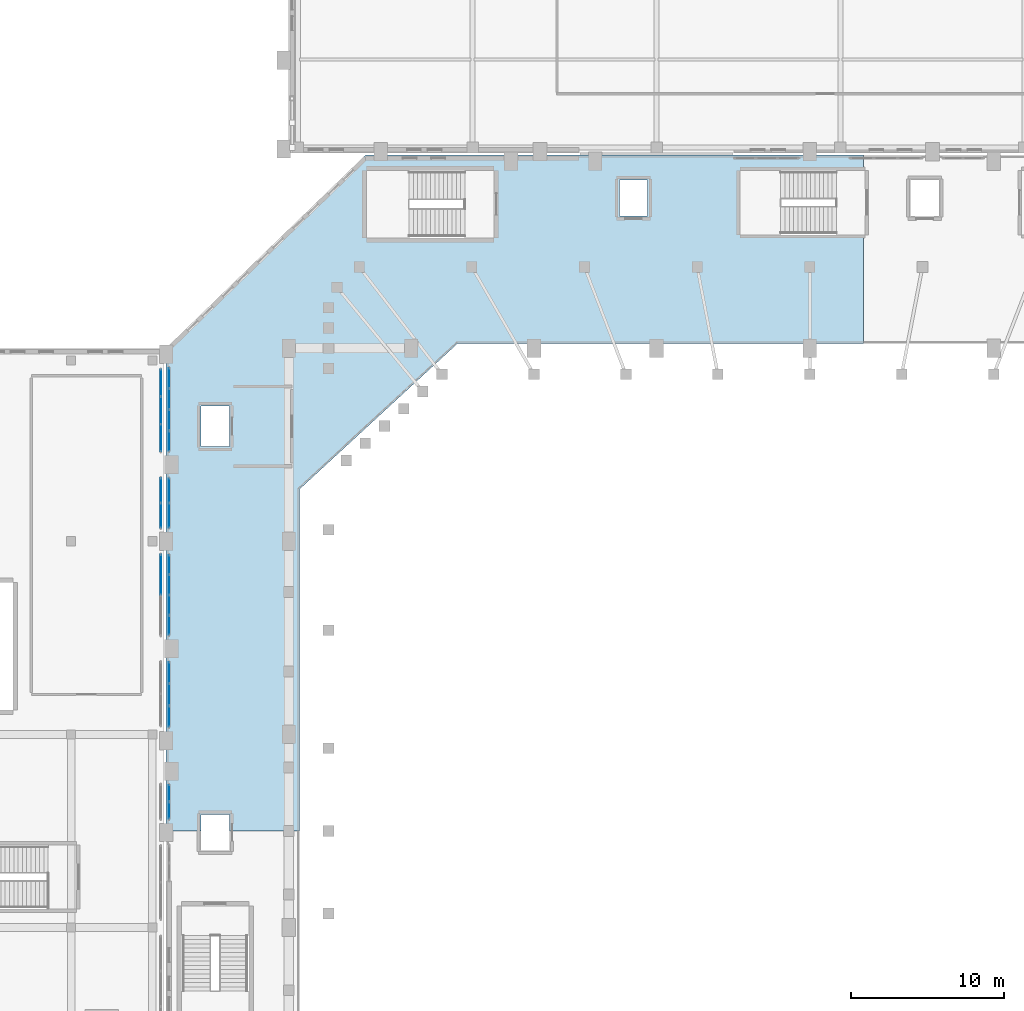
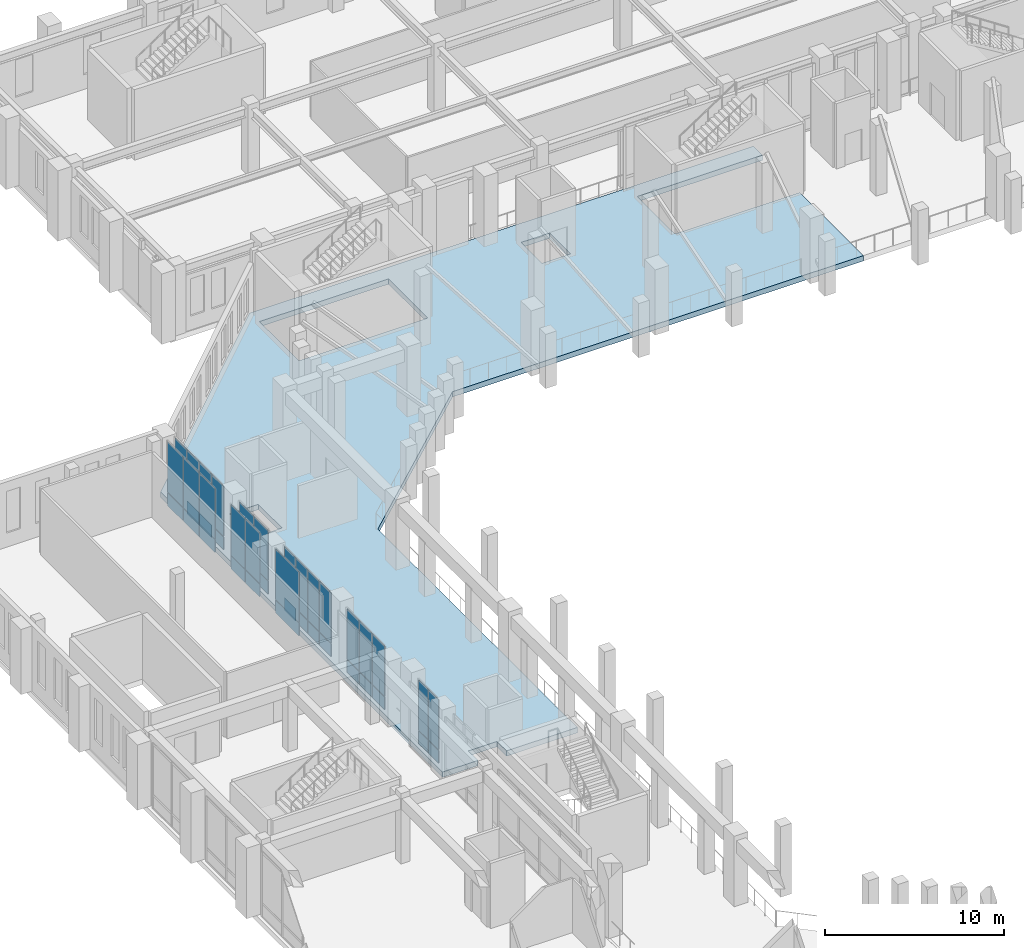
# One storey, part 71 of 126: 42 plates, 1 slab, 8 elements without a shape of their own.
"""IFC4 building model written with IfcOpenShell, lengths in metres."""

from ifc_helpers import new_model, si_unit, derived_unit, direction, frame, origin, origin_2d, place, context, subcontext, project, spatial, polyline, rectangle, outline, extrude, material, layer, layer_set, type_object, element, aggregate, save


model = new_model("IFC4")

# Units and contexts
model_context = context("Model", 3, precision=1e-05, world=origin(), true_north=direction((0.0, 1.0)))
body_context = subcontext(model_context, "Body", "Model", "MODEL_VIEW")
ifc_project = project(units=[si_unit("LENGTHUNIT", "METRE"), si_unit("AREAUNIT", "SQUARE_METRE"), si_unit("VOLUMEUNIT", "CUBIC_METRE"), si_unit("PLANEANGLEUNIT", "RADIAN"), si_unit("MASSUNIT", "GRAM", prefix="KILO"), derived_unit("THERMALTRANSMITTANCEUNIT", [(si_unit("MASSUNIT", "GRAM", prefix="KILO"), 1), (si_unit("TIMEUNIT", "SECOND"), -3), (si_unit("THERMODYNAMICTEMPERATUREUNIT", "KELVIN"), -1)])], contexts=[model_context])

# Site, building, storey
site_placement = place(None, origin())
site = spatial("IfcSite", under=ifc_project, at=site_placement, CompositionType="ELEMENT")
building_placement = place(site_placement, origin())
building = spatial("IfcBuilding", under=site, at=building_placement, Name="Valcora Ridge Arena", CompositionType="ELEMENT")
storey_placement = place(building_placement, frame((0.0, 0.0, 11.39990234375)))
storey = spatial("IfcBuildingStorey", under=building, at=storey_placement, Name="L02", CompositionType="ELEMENT", Elevation=11.39990234375)

# Curtain wall, plates
ifc_material_1 = material(Name="Anodised dark bronze architectural aluminium 6063-T6", Category="aluminium")
ifc_layer_1 = layer(ifc_material_1, 0.179931640625, Name="Anodised dark bronze architectural aluminium 6063-T6")
ifc_layer_set_1 = layer_set([ifc_layer_1], Name="Anodised dark bronze architectural aluminium 6063-T6")
curtain_wall_type_1 = type_object("IfcCurtainWallType", Name="TY-CURTAINWALL-CW-V1-GOTH-023X44", PredefinedType="NOTDEFINED", material=ifc_layer_set_1)
curtain_wall_1_placement = place(storey_placement, origin())
curtain_wall_1 = element("IfcCurtainWall", 1, at=curtain_wall_1_placement, inside=storey, type_object=curtain_wall_type_1, Name="CW-V1-GOTH-023X44 CW-0115", PredefinedType="NOTDEFINED")
ifc_material_2 = material(Name="Low-iron solar-control double glazing SHGC 0.28", Category="glass")
ifc_layer_2 = layer(ifc_material_2, 0.031982421875, Name="Low-iron solar-control double glazing SHGC 0.28")
ifc_layer_set_2 = layer_set([ifc_layer_2], Name="Low-iron solar-control double glazing SHGC 0.28")
plate_type_1 = type_object("IfcPlateType", Name="TY-PLT-CWP-1070X0860", PredefinedType="CURTAIN_PANEL", material=ifc_layer_set_2)
plate_1_placement = place(storey_placement, frame((16.199951171875, 65.43505859375, 0.06005859375), z_axis=(0.0, 0.0, 1.0), x_axis=(0.0, 1.0, 0.0)))
plate_1 = element("IfcPlate", 2, at=plate_1_placement, type_object=plate_type_1, Name="CW-0115/P00-00", PredefinedType="CURTAIN_PANEL", context=body_context, shape_type="SweptSolid", body=[
    extrude(rectangle(XDim=1.070068359375, YDim=0.031982421875, at=origin_2d()), origin(), (0.0, 0.0, 1.0), 0.860107421875),
])
plate_2_placement = place(storey_placement, frame((16.199951171875, 66.56494140625, 0.06005859375), z_axis=(0.0, 0.0, 1.0), x_axis=(0.0, 1.0, 0.0)))
plate_2 = element("IfcPlate", 3, at=plate_2_placement, type_object=plate_type_1, Name="CW-0115/P01-00", PredefinedType="CURTAIN_PANEL", context=body_context, shape_type="SweptSolid", body=[
    extrude(rectangle(XDim=1.070068359375, YDim=0.031982421875, at=origin_2d()), origin(), (0.0, 0.0, 1.0), 0.860107421875),
])
ifc_layer_3 = layer(ifc_material_2, 0.031982421875, Name="Low-iron solar-control double glazing SHGC 0.28")
ifc_layer_set_3 = layer_set([ifc_layer_3], Name="Low-iron solar-control double glazing SHGC 0.28")
plate_type_2 = type_object("IfcPlateType", Name="TY-PLT-CWP-1070X3410", PredefinedType="CURTAIN_PANEL", material=ifc_layer_set_3)
plate_3_placement = place(storey_placement, frame((16.199951171875, 65.43505859375, 0.97998046875), z_axis=(0.0, 0.0, 1.0), x_axis=(0.0, 1.0, 0.0)))
plate_3 = element("IfcPlate", 4, at=plate_3_placement, type_object=plate_type_2, Name="CW-0115/P00-01", PredefinedType="CURTAIN_PANEL", context=body_context, shape_type="SweptSolid", body=[
    extrude(rectangle(XDim=1.070068359375, YDim=0.031982421875, at=origin_2d()), origin(), (0.0, 0.0, 1.0), 3.409912109375),
])
plate_4_placement = place(storey_placement, frame((16.199951171875, 66.56494140625, 0.97998046875), z_axis=(0.0, 0.0, 1.0), x_axis=(0.0, 1.0, 0.0)))
plate_4 = element("IfcPlate", 5, at=plate_4_placement, type_object=plate_type_2, Name="CW-0115/P01-01", PredefinedType="CURTAIN_PANEL", context=body_context, shape_type="SweptSolid", body=[
    extrude(rectangle(XDim=1.070068359375, YDim=0.031982421875, at=origin_2d()), origin(), (0.0, 0.0, 1.0), 3.409912109375),
])
aggregate(curtain_wall_1, [plate_1, plate_3, plate_2, plate_4])

ifc_layer_4 = layer(ifc_material_1, 0.179931640625, Name="Anodised dark bronze architectural aluminium 6063-T6")
ifc_layer_set_4 = layer_set([ifc_layer_4], Name="Anodised dark bronze architectural aluminium 6063-T6")
curtain_wall_type_2 = type_object("IfcCurtainWallType", Name="TY-CURTAINWALL-CW-V1-GOTH-053X44", PredefinedType="NOTDEFINED", material=ifc_layer_set_4)
curtain_wall_2_placement = place(storey_placement, origin())
curtain_wall_2 = element("IfcCurtainWall", 6, at=curtain_wall_2_placement, inside=storey, type_object=curtain_wall_type_2, Name="CW-V1-GOTH-053X44 CW-0117", PredefinedType="NOTDEFINED")
ifc_layer_5 = layer(ifc_material_2, 0.031982421875, Name="Low-iron solar-control double glazing SHGC 0.28")
ifc_layer_set_5 = layer_set([ifc_layer_5], Name="Low-iron solar-control double glazing SHGC 0.28")
plate_type_3 = type_object("IfcPlateType", Name="TY-PLT-CWP-1240X0860", PredefinedType="CURTAIN_PANEL", material=ifc_layer_set_5)
plate_5_placement = place(storey_placement, frame((16.199951171875, 77.52001953125, 0.06005859375), z_axis=(0.0, 0.0, 1.0), x_axis=(0.0, 1.0, 0.0)))
plate_5 = element("IfcPlate", 7, at=plate_5_placement, type_object=plate_type_3, Name="CW-0117/P00-00", PredefinedType="CURTAIN_PANEL", context=body_context, shape_type="SweptSolid", body=[
    extrude(rectangle(XDim=1.239990234375, YDim=0.031982421875, at=origin_2d()), origin(), (0.0, 0.0, 1.0), 0.860107421875),
])
plate_6_placement = place(storey_placement, frame((16.199951171875, 81.47998046875, 0.06005859375), z_axis=(0.0, 0.0, 1.0), x_axis=(0.0, 1.0, 0.0)))
plate_6 = element("IfcPlate", 8, at=plate_6_placement, type_object=plate_type_3, Name="CW-0117/P03-00", PredefinedType="CURTAIN_PANEL", context=body_context, shape_type="SweptSolid", body=[
    extrude(rectangle(XDim=1.239990234375, YDim=0.031982421875, at=origin_2d()), origin(), (0.0, 0.0, 1.0), 0.860107421875),
])
ifc_layer_6 = layer(ifc_material_2, 0.031982421875, Name="Low-iron solar-control double glazing SHGC 0.28")
ifc_layer_set_6 = layer_set([ifc_layer_6], Name="Low-iron solar-control double glazing SHGC 0.28")
plate_type_4 = type_object("IfcPlateType", Name="TY-PLT-CWP-1240X3410", PredefinedType="CURTAIN_PANEL", material=ifc_layer_set_6)
plate_7_placement = place(storey_placement, frame((16.199951171875, 77.52001953125, 0.97998046875), z_axis=(0.0, 0.0, 1.0), x_axis=(0.0, 1.0, 0.0)))
plate_7 = element("IfcPlate", 9, at=plate_7_placement, type_object=plate_type_4, Name="CW-0117/P00-01", PredefinedType="CURTAIN_PANEL", context=body_context, shape_type="SweptSolid", body=[
    extrude(rectangle(XDim=1.239990234375, YDim=0.031982421875, at=origin_2d()), origin(), (0.0, 0.0, 1.0), 3.409912109375),
])
plate_8_placement = place(storey_placement, frame((16.199951171875, 81.47998046875, 0.97998046875), z_axis=(0.0, 0.0, 1.0), x_axis=(0.0, 1.0, 0.0)))
plate_8 = element("IfcPlate", 10, at=plate_8_placement, type_object=plate_type_4, Name="CW-0117/P03-01", PredefinedType="CURTAIN_PANEL", context=body_context, shape_type="SweptSolid", body=[
    extrude(rectangle(XDim=1.239990234375, YDim=0.031982421875, at=origin_2d()), origin(), (0.0, 0.0, 1.0), 3.409912109375),
])
ifc_layer_7 = layer(ifc_material_2, 0.031982421875, Name="Low-iron solar-control double glazing SHGC 0.28")
ifc_layer_set_7 = layer_set([ifc_layer_7], Name="Low-iron solar-control double glazing SHGC 0.28")
plate_type_5 = type_object("IfcPlateType", Name="TY-PLT-CWP-1270X0860", PredefinedType="CURTAIN_PANEL", material=ifc_layer_set_7)
plate_9_placement = place(storey_placement, frame((16.199951171875, 78.8349609375, 0.06005859375), z_axis=(0.0, 0.0, 1.0), x_axis=(0.0, 1.0, 0.0)))
plate_9 = element("IfcPlate", 11, at=plate_9_placement, type_object=plate_type_5, Name="CW-0117/P01-00", PredefinedType="CURTAIN_PANEL", context=body_context, shape_type="SweptSolid", body=[
    extrude(rectangle(XDim=1.27001953125, YDim=0.031982421875, at=origin_2d()), origin(), (0.0, 0.0, 1.0), 0.860107421875),
])
plate_10_placement = place(storey_placement, frame((16.199951171875, 80.1650390625, 0.06005859375), z_axis=(0.0, 0.0, 1.0), x_axis=(0.0, 1.0, 0.0)))
plate_10 = element("IfcPlate", 12, at=plate_10_placement, type_object=plate_type_5, Name="CW-0117/P02-00", PredefinedType="CURTAIN_PANEL", context=body_context, shape_type="SweptSolid", body=[
    extrude(rectangle(XDim=1.27001953125, YDim=0.031982421875, at=origin_2d()), origin(), (0.0, 0.0, 1.0), 0.860107421875),
])
ifc_layer_8 = layer(ifc_material_2, 0.031982421875, Name="Low-iron solar-control double glazing SHGC 0.28")
ifc_layer_set_8 = layer_set([ifc_layer_8], Name="Low-iron solar-control double glazing SHGC 0.28")
plate_type_6 = type_object("IfcPlateType", Name="TY-PLT-CWP-1270X3410", PredefinedType="CURTAIN_PANEL", material=ifc_layer_set_8)
plate_11_placement = place(storey_placement, frame((16.199951171875, 78.8349609375, 0.97998046875), z_axis=(0.0, 0.0, 1.0), x_axis=(0.0, 1.0, 0.0)))
plate_11 = element("IfcPlate", 13, at=plate_11_placement, type_object=plate_type_6, Name="CW-0117/P01-01", PredefinedType="CURTAIN_PANEL", context=body_context, shape_type="SweptSolid", body=[
    extrude(rectangle(XDim=1.27001953125, YDim=0.031982421875, at=origin_2d()), origin(), (0.0, 0.0, 1.0), 3.409912109375),
])
plate_12_placement = place(storey_placement, frame((16.199951171875, 80.1650390625, 0.97998046875), z_axis=(0.0, 0.0, 1.0), x_axis=(0.0, 1.0, 0.0)))
plate_12 = element("IfcPlate", 14, at=plate_12_placement, type_object=plate_type_6, Name="CW-0117/P02-01", PredefinedType="CURTAIN_PANEL", context=body_context, shape_type="SweptSolid", body=[
    extrude(rectangle(XDim=1.27001953125, YDim=0.031982421875, at=origin_2d()), origin(), (0.0, 0.0, 1.0), 3.409912109375),
])
aggregate(curtain_wall_2, [plate_5, plate_7, plate_9, plate_11, plate_10, plate_12, plate_6, plate_8])

ifc_layer_9 = layer(ifc_material_1, 0.179931640625, Name="Anodised dark bronze architectural aluminium 6063-T6")
ifc_layer_set_9 = layer_set([ifc_layer_9], Name="Anodised dark bronze architectural aluminium 6063-T6")
curtain_wall_type_3 = type_object("IfcCurtainWallType", Name="TY-CURTAINWALL-CW-V1-GOTH-055X44", PredefinedType="NOTDEFINED", material=ifc_layer_set_9)
curtain_wall_3_placement = place(storey_placement, origin())
curtain_wall_3 = element("IfcCurtainWall", 15, at=curtain_wall_3_placement, inside=storey, type_object=curtain_wall_type_3, Name="CW-V1-GOTH-055X44 CW-0119", PredefinedType="NOTDEFINED")
ifc_layer_10 = layer(ifc_material_2, 0.031982421875, Name="Low-iron solar-control double glazing SHGC 0.28")
ifc_layer_set_10 = layer_set([ifc_layer_10], Name="Low-iron solar-control double glazing SHGC 0.28")
plate_type_7 = type_object("IfcPlateType", Name="TY-PLT-CWP-1290X0860", PredefinedType="CURTAIN_PANEL", material=ifc_layer_set_10)
plate_13_placement = place(storey_placement, frame((16.199951171875, 89.544921875, 0.06005859375), z_axis=(0.0, 0.0, 1.0), x_axis=(0.0, 1.0, 0.0)))
plate_13 = element("IfcPlate", 16, at=plate_13_placement, type_object=plate_type_7, Name="CW-0119/P00-00", PredefinedType="CURTAIN_PANEL", context=body_context, shape_type="SweptSolid", body=[
    extrude(rectangle(XDim=1.2900390625, YDim=0.031982421875, at=origin_2d()), origin(), (0.0, 0.0, 1.0), 0.860107421875),
])
plate_14_placement = place(storey_placement, frame((16.199951171875, 93.655029296875, 0.06005859375), z_axis=(0.0, 0.0, 1.0), x_axis=(0.0, 1.0, 0.0)))
plate_14 = element("IfcPlate", 17, at=plate_14_placement, type_object=plate_type_7, Name="CW-0119/P03-00", PredefinedType="CURTAIN_PANEL", context=body_context, shape_type="SweptSolid", body=[
    extrude(rectangle(XDim=1.2900390625, YDim=0.031982421875, at=origin_2d()), origin(), (0.0, 0.0, 1.0), 0.860107421875),
])
ifc_layer_11 = layer(ifc_material_2, 0.031982421875, Name="Low-iron solar-control double glazing SHGC 0.28")
ifc_layer_set_11 = layer_set([ifc_layer_11], Name="Low-iron solar-control double glazing SHGC 0.28")
plate_type_8 = type_object("IfcPlateType", Name="TY-PLT-CWP-1290X3410", PredefinedType="CURTAIN_PANEL", material=ifc_layer_set_11)
plate_15_placement = place(storey_placement, frame((16.199951171875, 89.544921875, 0.97998046875), z_axis=(0.0, 0.0, 1.0), x_axis=(0.0, 1.0, 0.0)))
plate_15 = element("IfcPlate", 18, at=plate_15_placement, type_object=plate_type_8, Name="CW-0119/P00-01", PredefinedType="CURTAIN_PANEL", context=body_context, shape_type="SweptSolid", body=[
    extrude(rectangle(XDim=1.2900390625, YDim=0.031982421875, at=origin_2d()), origin(), (0.0, 0.0, 1.0), 3.409912109375),
])
plate_16_placement = place(storey_placement, frame((16.199951171875, 93.655029296875, 0.97998046875), z_axis=(0.0, 0.0, 1.0), x_axis=(0.0, 1.0, 0.0)))
plate_16 = element("IfcPlate", 19, at=plate_16_placement, type_object=plate_type_8, Name="CW-0119/P03-01", PredefinedType="CURTAIN_PANEL", context=body_context, shape_type="SweptSolid", body=[
    extrude(rectangle(XDim=1.2900390625, YDim=0.031982421875, at=origin_2d()), origin(), (0.0, 0.0, 1.0), 3.409912109375),
])
ifc_layer_12 = layer(ifc_material_2, 0.031982421875, Name="Low-iron solar-control double glazing SHGC 0.28")
ifc_layer_set_12 = layer_set([ifc_layer_12], Name="Low-iron solar-control double glazing SHGC 0.28")
plate_type_9 = type_object("IfcPlateType", Name="TY-PLT-CWP-1320X0860", PredefinedType="CURTAIN_PANEL", material=ifc_layer_set_12)
plate_17_placement = place(storey_placement, frame((16.199951171875, 90.909912109375, 0.06005859375), z_axis=(0.0, 0.0, 1.0), x_axis=(0.0, 1.0, 0.0)))
plate_17 = element("IfcPlate", 20, at=plate_17_placement, type_object=plate_type_9, Name="CW-0119/P01-00", PredefinedType="CURTAIN_PANEL", context=body_context, shape_type="SweptSolid", body=[
    extrude(rectangle(XDim=1.320068359375, YDim=0.031982421875, at=origin_2d()), origin(), (0.0, 0.0, 1.0), 0.860107421875),
])
plate_18_placement = place(storey_placement, frame((16.199951171875, 92.2900390625, 0.06005859375), z_axis=(0.0, 0.0, 1.0), x_axis=(0.0, 1.0, 0.0)))
plate_18 = element("IfcPlate", 21, at=plate_18_placement, type_object=plate_type_9, Name="CW-0119/P02-00", PredefinedType="CURTAIN_PANEL", context=body_context, shape_type="SweptSolid", body=[
    extrude(rectangle(XDim=1.320068359375, YDim=0.031982421875, at=origin_2d()), origin(), (0.0, 0.0, 1.0), 0.860107421875),
])
ifc_layer_13 = layer(ifc_material_2, 0.031982421875, Name="Low-iron solar-control double glazing SHGC 0.28")
ifc_layer_set_13 = layer_set([ifc_layer_13], Name="Low-iron solar-control double glazing SHGC 0.28")
plate_type_10 = type_object("IfcPlateType", Name="TY-PLT-CWP-1320X3410", PredefinedType="CURTAIN_PANEL", material=ifc_layer_set_13)
plate_19_placement = place(storey_placement, frame((16.199951171875, 90.909912109375, 0.97998046875), z_axis=(0.0, 0.0, 1.0), x_axis=(0.0, 1.0, 0.0)))
plate_19 = element("IfcPlate", 22, at=plate_19_placement, type_object=plate_type_10, Name="CW-0119/P01-01", PredefinedType="CURTAIN_PANEL", context=body_context, shape_type="SweptSolid", body=[
    extrude(rectangle(XDim=1.320068359375, YDim=0.031982421875, at=origin_2d()), origin(), (0.0, 0.0, 1.0), 3.409912109375),
])
plate_20_placement = place(storey_placement, frame((16.199951171875, 92.2900390625, 0.97998046875), z_axis=(0.0, 0.0, 1.0), x_axis=(0.0, 1.0, 0.0)))
plate_20 = element("IfcPlate", 23, at=plate_20_placement, type_object=plate_type_10, Name="CW-0119/P02-01", PredefinedType="CURTAIN_PANEL", context=body_context, shape_type="SweptSolid", body=[
    extrude(rectangle(XDim=1.320068359375, YDim=0.031982421875, at=origin_2d()), origin(), (0.0, 0.0, 1.0), 3.409912109375),
])
aggregate(curtain_wall_3, [plate_13, plate_15, plate_17, plate_19, plate_18, plate_20, plate_14, plate_16])

ifc_layer_14 = layer(ifc_material_1, 0.179931640625, Name="Anodised dark bronze architectural aluminium 6063-T6")
ifc_layer_set_14 = layer_set([ifc_layer_14], Name="Anodised dark bronze architectural aluminium 6063-T6")
curtain_wall_type_4 = type_object("IfcCurtainWallType", Name="TY-CURTAINWALL-CW-V1-GOTH-043X44", PredefinedType="NOTDEFINED", material=ifc_layer_set_14)
curtain_wall_4_placement = place(storey_placement, origin())
curtain_wall_4 = element("IfcCurtainWall", 24, at=curtain_wall_4_placement, inside=storey, type_object=curtain_wall_type_4, Name="CW-V1-GOTH-043X44 CW-0116", PredefinedType="NOTDEFINED")
ifc_layer_15 = layer(ifc_material_2, 0.031982421875, Name="Low-iron solar-control double glazing SHGC 0.28")
ifc_layer_set_15 = layer_set([ifc_layer_15], Name="Low-iron solar-control double glazing SHGC 0.28")
plate_type_11 = type_object("IfcPlateType", Name="TY-PLT-CWP-1350X0860", PredefinedType="CURTAIN_PANEL", material=ifc_layer_set_15)
plate_21_placement = place(storey_placement, frame((16.199951171875, 71.574951171875, 0.06005859375), z_axis=(0.0, 0.0, 1.0), x_axis=(0.0, 1.0, 0.0)))
plate_21 = element("IfcPlate", 25, at=plate_21_placement, type_object=plate_type_11, Name="CW-0116/P00-00", PredefinedType="CURTAIN_PANEL", context=body_context, shape_type="SweptSolid", body=[
    extrude(rectangle(XDim=1.35009765625, YDim=0.031982421875, at=origin_2d()), origin(), (0.0, 0.0, 1.0), 0.860107421875),
])
plate_22_placement = place(storey_placement, frame((16.199951171875, 74.425048828125, 0.06005859375), z_axis=(0.0, 0.0, 1.0), x_axis=(0.0, 1.0, 0.0)))
plate_22 = element("IfcPlate", 26, at=plate_22_placement, type_object=plate_type_11, Name="CW-0116/P02-00", PredefinedType="CURTAIN_PANEL", context=body_context, shape_type="SweptSolid", body=[
    extrude(rectangle(XDim=1.35009765625, YDim=0.031982421875, at=origin_2d()), origin(), (0.0, 0.0, 1.0), 0.860107421875),
])
ifc_layer_16 = layer(ifc_material_2, 0.031982421875, Name="Low-iron solar-control double glazing SHGC 0.28")
ifc_layer_set_16 = layer_set([ifc_layer_16], Name="Low-iron solar-control double glazing SHGC 0.28")
plate_type_12 = type_object("IfcPlateType", Name="TY-PLT-CWP-1350X3410", PredefinedType="CURTAIN_PANEL", material=ifc_layer_set_16)
plate_23_placement = place(storey_placement, frame((16.199951171875, 71.574951171875, 0.97998046875), z_axis=(0.0, 0.0, 1.0), x_axis=(0.0, 1.0, 0.0)))
plate_23 = element("IfcPlate", 27, at=plate_23_placement, type_object=plate_type_12, Name="CW-0116/P00-01", PredefinedType="CURTAIN_PANEL", context=body_context, shape_type="SweptSolid", body=[
    extrude(rectangle(XDim=1.35009765625, YDim=0.031982421875, at=origin_2d()), origin(), (0.0, 0.0, 1.0), 3.409912109375),
])
plate_24_placement = place(storey_placement, frame((16.199951171875, 74.425048828125, 0.97998046875), z_axis=(0.0, 0.0, 1.0), x_axis=(0.0, 1.0, 0.0)))
plate_24 = element("IfcPlate", 28, at=plate_24_placement, type_object=plate_type_12, Name="CW-0116/P02-01", PredefinedType="CURTAIN_PANEL", context=body_context, shape_type="SweptSolid", body=[
    extrude(rectangle(XDim=1.35009765625, YDim=0.031982421875, at=origin_2d()), origin(), (0.0, 0.0, 1.0), 3.409912109375),
])
ifc_layer_17 = layer(ifc_material_2, 0.031982421875, Name="Low-iron solar-control double glazing SHGC 0.28")
ifc_layer_set_17 = layer_set([ifc_layer_17], Name="Low-iron solar-control double glazing SHGC 0.28")
plate_type_13 = type_object("IfcPlateType", Name="TY-PLT-CWP-1380X0860", PredefinedType="CURTAIN_PANEL", material=ifc_layer_set_17)
plate_25_placement = place(storey_placement, frame((16.199951171875, 73.0, 0.06005859375), z_axis=(0.0, 0.0, 1.0), x_axis=(0.0, 1.0, 0.0)))
plate_25 = element("IfcPlate", 29, at=plate_25_placement, type_object=plate_type_13, Name="CW-0116/P01-00", PredefinedType="CURTAIN_PANEL", context=body_context, shape_type="SweptSolid", body=[
    extrude(rectangle(XDim=1.3798828125, YDim=0.031982421875, at=origin_2d()), origin(), (0.0, 0.0, 1.0), 0.860107421875),
])
ifc_layer_18 = layer(ifc_material_2, 0.031982421875, Name="Low-iron solar-control double glazing SHGC 0.28")
ifc_layer_set_18 = layer_set([ifc_layer_18], Name="Low-iron solar-control double glazing SHGC 0.28")
plate_type_14 = type_object("IfcPlateType", Name="TY-PLT-CWP-1380X3410", PredefinedType="CURTAIN_PANEL", material=ifc_layer_set_18)
plate_26_placement = place(storey_placement, frame((16.199951171875, 73.0, 0.97998046875), z_axis=(0.0, 0.0, 1.0), x_axis=(0.0, 1.0, 0.0)))
plate_26 = element("IfcPlate", 30, at=plate_26_placement, type_object=plate_type_14, Name="CW-0116/P01-01", PredefinedType="CURTAIN_PANEL", context=body_context, shape_type="SweptSolid", body=[
    extrude(rectangle(XDim=1.3798828125, YDim=0.031982421875, at=origin_2d()), origin(), (0.0, 0.0, 1.0), 3.409912109375),
])
aggregate(curtain_wall_4, [plate_21, plate_23, plate_25, plate_26, plate_22, plate_24])

ifc_layer_19 = layer(ifc_material_1, 0.179931640625, Name="Anodised dark bronze architectural aluminium 6063-T6")
ifc_layer_set_19 = layer_set([ifc_layer_19], Name="Anodised dark bronze architectural aluminium 6063-T6")
curtain_wall_type_5 = type_object("IfcCurtainWallType", Name="TY-CURTAINWALL-CW-V1-GOTH-033X44", PredefinedType="NOTDEFINED", material=ifc_layer_set_19)
curtain_wall_5_placement = place(storey_placement, origin())
curtain_wall_5 = element("IfcCurtainWall", 31, at=curtain_wall_5_placement, inside=storey, type_object=curtain_wall_type_5, Name="CW-V1-GOTH-033X44 CW-0118", PredefinedType="NOTDEFINED")
ifc_layer_20 = layer(ifc_material_2, 0.031982421875, Name="Low-iron solar-control double glazing SHGC 0.28")
ifc_layer_set_20 = layer_set([ifc_layer_20], Name="Low-iron solar-control double glazing SHGC 0.28")
plate_type_15 = type_object("IfcPlateType", Name="TY-PLT-CWP-1570X0860", PredefinedType="CURTAIN_PANEL", material=ifc_layer_set_20)
plate_27_placement = place(storey_placement, frame((16.199951171875, 84.68505859375, 0.06005859375), z_axis=(0.0, 0.0, 1.0), x_axis=(0.0, 1.0, 0.0)))
plate_27 = element("IfcPlate", 32, at=plate_27_placement, type_object=plate_type_15, Name="CW-0118/P00-00", PredefinedType="CURTAIN_PANEL", context=body_context, shape_type="SweptSolid", body=[
    extrude(rectangle(XDim=1.570068359375, YDim=0.031982421875, at=origin_2d()), origin(), (0.0, 0.0, 1.0), 0.860107421875),
])
plate_28_placement = place(storey_placement, frame((16.199951171875, 86.31494140625, 0.06005859375), z_axis=(0.0, 0.0, 1.0), x_axis=(0.0, 1.0, 0.0)))
plate_28 = element("IfcPlate", 33, at=plate_28_placement, type_object=plate_type_15, Name="CW-0118/P01-00", PredefinedType="CURTAIN_PANEL", context=body_context, shape_type="SweptSolid", body=[
    extrude(rectangle(XDim=1.570068359375, YDim=0.031982421875, at=origin_2d()), origin(), (0.0, 0.0, 1.0), 0.860107421875),
])
ifc_layer_21 = layer(ifc_material_2, 0.031982421875, Name="Low-iron solar-control double glazing SHGC 0.28")
ifc_layer_set_21 = layer_set([ifc_layer_21], Name="Low-iron solar-control double glazing SHGC 0.28")
plate_type_16 = type_object("IfcPlateType", Name="TY-PLT-CWP-1570X3410", PredefinedType="CURTAIN_PANEL", material=ifc_layer_set_21)
plate_29_placement = place(storey_placement, frame((16.199951171875, 84.68505859375, 0.97998046875), z_axis=(0.0, 0.0, 1.0), x_axis=(0.0, 1.0, 0.0)))
plate_29 = element("IfcPlate", 34, at=plate_29_placement, type_object=plate_type_16, Name="CW-0118/P00-01", PredefinedType="CURTAIN_PANEL", context=body_context, shape_type="SweptSolid", body=[
    extrude(rectangle(XDim=1.570068359375, YDim=0.031982421875, at=origin_2d()), origin(), (0.0, 0.0, 1.0), 3.409912109375),
])
plate_30_placement = place(storey_placement, frame((16.199951171875, 86.31494140625, 0.97998046875), z_axis=(0.0, 0.0, 1.0), x_axis=(0.0, 1.0, 0.0)))
plate_30 = element("IfcPlate", 35, at=plate_30_placement, type_object=plate_type_16, Name="CW-0118/P01-01", PredefinedType="CURTAIN_PANEL", context=body_context, shape_type="SweptSolid", body=[
    extrude(rectangle(XDim=1.570068359375, YDim=0.031982421875, at=origin_2d()), origin(), (0.0, 0.0, 1.0), 3.409912109375),
])
aggregate(curtain_wall_5, [plate_27, plate_29, plate_28, plate_30])

ifc_layer_22 = layer(ifc_material_1, 0.14990234375, Name="Anodised dark bronze architectural aluminium 6063-T6")
ifc_layer_set_22 = layer_set([ifc_layer_22], Name="Anodised dark bronze architectural aluminium 6063-T6")
curtain_wall_type_6 = type_object("IfcCurtainWallType", Name="TY-CURTAINWALL-CW-V4-CLUB-033X44", PredefinedType="NOTDEFINED", material=ifc_layer_set_22)
curtain_wall_6_placement = place(storey_placement, origin())
curtain_wall_6 = element("IfcCurtainWall", 36, at=curtain_wall_6_placement, inside=storey, type_object=curtain_wall_type_6, Name="CW-V4-CLUB-033X44 CW-0268", PredefinedType="NOTDEFINED")
ifc_layer_23 = layer(ifc_material_2, 0.028076171875, Name="Low-iron solar-control double glazing SHGC 0.28")
ifc_layer_set_23 = layer_set([ifc_layer_23], Name="Low-iron solar-control double glazing SHGC 0.28")
plate_type_17 = type_object("IfcPlateType", Name="TY-PLT-CWP-1585X0875", PredefinedType="CURTAIN_PANEL", material=ifc_layer_set_23)
plate_31_placement = place(storey_placement, frame((15.64990234375, 84.6826171875, 0.050048828125), z_axis=(0.0, 0.0, 1.0), x_axis=(0.0, 1.0, 0.0)))
plate_31 = element("IfcPlate", 37, at=plate_31_placement, type_object=plate_type_17, Name="CW-0268/P00-00", PredefinedType="CURTAIN_PANEL", context=body_context, shape_type="SweptSolid", body=[
    extrude(rectangle(XDim=1.5849609375, YDim=0.028076171875, at=origin_2d()), origin(), (0.0, 0.0, 1.0), 0.875),
])
plate_32_placement = place(storey_placement, frame((15.64990234375, 86.3173828125, 0.050048828125), z_axis=(0.0, 0.0, 1.0), x_axis=(0.0, 1.0, 0.0)))
plate_32 = element("IfcPlate", 38, at=plate_32_placement, type_object=plate_type_17, Name="CW-0268/P01-00", PredefinedType="CURTAIN_PANEL", context=body_context, shape_type="SweptSolid", body=[
    extrude(rectangle(XDim=1.5849609375, YDim=0.028076171875, at=origin_2d()), origin(), (0.0, 0.0, 1.0), 0.875),
])
ifc_layer_24 = layer(ifc_material_2, 0.028076171875, Name="Low-iron solar-control double glazing SHGC 0.28")
ifc_layer_set_24 = layer_set([ifc_layer_24], Name="Low-iron solar-control double glazing SHGC 0.28")
plate_type_18 = type_object("IfcPlateType", Name="TY-PLT-CWP-1585X3425", PredefinedType="CURTAIN_PANEL", material=ifc_layer_set_24)
plate_33_placement = place(storey_placement, frame((15.64990234375, 84.6826171875, 0.97509765625), z_axis=(0.0, 0.0, 1.0), x_axis=(0.0, 1.0, 0.0)))
plate_33 = element("IfcPlate", 39, at=plate_33_placement, type_object=plate_type_18, Name="CW-0268/P00-01", PredefinedType="CURTAIN_PANEL", context=body_context, shape_type="SweptSolid", body=[
    extrude(rectangle(XDim=1.5849609375, YDim=0.028076171875, at=origin_2d()), origin(), (0.0, 0.0, 1.0), 3.425048828125),
])
plate_34_placement = place(storey_placement, frame((15.64990234375, 86.3173828125, 0.97509765625), z_axis=(0.0, 0.0, 1.0), x_axis=(0.0, 1.0, 0.0)))
plate_34 = element("IfcPlate", 40, at=plate_34_placement, type_object=plate_type_18, Name="CW-0268/P01-01", PredefinedType="CURTAIN_PANEL", context=body_context, shape_type="SweptSolid", body=[
    extrude(rectangle(XDim=1.5849609375, YDim=0.028076171875, at=origin_2d()), origin(), (0.0, 0.0, 1.0), 3.425048828125),
])
aggregate(curtain_wall_6, [plate_31, plate_33, plate_32, plate_34])

ifc_layer_25 = layer(ifc_material_1, 0.14990234375, Name="Anodised dark bronze architectural aluminium 6063-T6")
ifc_layer_set_25 = layer_set([ifc_layer_25], Name="Anodised dark bronze architectural aluminium 6063-T6")
curtain_wall_type_7 = type_object("IfcCurtainWallType", Name="TY-CURTAINWALL-CW-V4-CLUB-054X44", PredefinedType="NOTDEFINED", material=ifc_layer_set_25)
curtain_wall_7_placement = place(storey_placement, origin())
curtain_wall_7 = element("IfcCurtainWall", 41, at=curtain_wall_7_placement, inside=storey, type_object=curtain_wall_type_7, Name="CW-V4-CLUB-054X44 CW-0269", PredefinedType="NOTDEFINED")
ifc_layer_26 = layer(ifc_material_2, 0.028076171875, Name="Low-iron solar-control double glazing SHGC 0.28")
ifc_layer_set_26 = layer_set([ifc_layer_26], Name="Low-iron solar-control double glazing SHGC 0.28")
plate_type_19 = type_object("IfcPlateType", Name="TY-PLT-CWP-1732X0875", PredefinedType="CURTAIN_PANEL", material=ifc_layer_set_26)
plate_35_placement = place(storey_placement, frame((15.64990234375, 89.756103515625, 0.050048828125), z_axis=(0.0, 0.0, 1.0), x_axis=(0.0, 1.0, 0.0)))
plate_35 = element("IfcPlate", 42, at=plate_35_placement, type_object=plate_type_19, Name="CW-0269/P00-00", PredefinedType="CURTAIN_PANEL", context=body_context, shape_type="SweptSolid", body=[
    extrude(rectangle(XDim=1.73193359375, YDim=0.028076171875, at=origin_2d()), origin(), (0.0, 0.0, 1.0), 0.875),
])
plate_36_placement = place(storey_placement, frame((15.64990234375, 93.343994140625, 0.050048828125), z_axis=(0.0, 0.0, 1.0), x_axis=(0.0, 1.0, 0.0)))
plate_36 = element("IfcPlate", 43, at=plate_36_placement, type_object=plate_type_19, Name="CW-0269/P02-00", PredefinedType="CURTAIN_PANEL", context=body_context, shape_type="SweptSolid", body=[
    extrude(rectangle(XDim=1.73193359375, YDim=0.028076171875, at=origin_2d()), origin(), (0.0, 0.0, 1.0), 0.875),
])
ifc_layer_27 = layer(ifc_material_2, 0.028076171875, Name="Low-iron solar-control double glazing SHGC 0.28")
ifc_layer_set_27 = layer_set([ifc_layer_27], Name="Low-iron solar-control double glazing SHGC 0.28")
plate_type_20 = type_object("IfcPlateType", Name="TY-PLT-CWP-1732X3425", PredefinedType="CURTAIN_PANEL", material=ifc_layer_set_27)
plate_37_placement = place(storey_placement, frame((15.64990234375, 89.756103515625, 0.97509765625), z_axis=(0.0, 0.0, 1.0), x_axis=(0.0, 1.0, 0.0)))
plate_37 = element("IfcPlate", 44, at=plate_37_placement, type_object=plate_type_20, Name="CW-0269/P00-01", PredefinedType="CURTAIN_PANEL", context=body_context, shape_type="SweptSolid", body=[
    extrude(rectangle(XDim=1.73193359375, YDim=0.028076171875, at=origin_2d()), origin(), (0.0, 0.0, 1.0), 3.425048828125),
])
plate_38_placement = place(storey_placement, frame((15.64990234375, 93.343994140625, 0.97509765625), z_axis=(0.0, 0.0, 1.0), x_axis=(0.0, 1.0, 0.0)))
plate_38 = element("IfcPlate", 45, at=plate_38_placement, type_object=plate_type_20, Name="CW-0269/P02-01", PredefinedType="CURTAIN_PANEL", context=body_context, shape_type="SweptSolid", body=[
    extrude(rectangle(XDim=1.73193359375, YDim=0.028076171875, at=origin_2d()), origin(), (0.0, 0.0, 1.0), 3.425048828125),
])
ifc_layer_28 = layer(ifc_material_2, 0.028076171875, Name="Low-iron solar-control double glazing SHGC 0.28")
ifc_layer_set_28 = layer_set([ifc_layer_28], Name="Low-iron solar-control double glazing SHGC 0.28")
plate_type_21 = type_object("IfcPlateType", Name="TY-PLT-CWP-1756X0875", PredefinedType="CURTAIN_PANEL", material=ifc_layer_set_28)
plate_39_placement = place(storey_placement, frame((15.64990234375, 91.550048828125, 0.050048828125), z_axis=(0.0, 0.0, 1.0), x_axis=(0.0, 1.0, 0.0)))
plate_39 = element("IfcPlate", 46, at=plate_39_placement, type_object=plate_type_21, Name="CW-0269/P01-00", PredefinedType="CURTAIN_PANEL", context=body_context, shape_type="SweptSolid", body=[
    extrude(rectangle(XDim=1.756103515625, YDim=0.028076171875, at=origin_2d()), origin(), (0.0, 0.0, 1.0), 0.875),
])
ifc_layer_29 = layer(ifc_material_2, 0.028076171875, Name="Low-iron solar-control double glazing SHGC 0.28")
ifc_layer_set_29 = layer_set([ifc_layer_29], Name="Low-iron solar-control double glazing SHGC 0.28")
plate_type_22 = type_object("IfcPlateType", Name="TY-PLT-CWP-1756X3425", PredefinedType="CURTAIN_PANEL", material=ifc_layer_set_29)
plate_40_placement = place(storey_placement, frame((15.64990234375, 91.550048828125, 0.97509765625), z_axis=(0.0, 0.0, 1.0), x_axis=(0.0, 1.0, 0.0)))
plate_40 = element("IfcPlate", 47, at=plate_40_placement, type_object=plate_type_22, Name="CW-0269/P01-01", PredefinedType="CURTAIN_PANEL", context=body_context, shape_type="SweptSolid", body=[
    extrude(rectangle(XDim=1.756103515625, YDim=0.028076171875, at=origin_2d()), origin(), (0.0, 0.0, 1.0), 3.425048828125),
])
aggregate(curtain_wall_7, [plate_35, plate_37, plate_39, plate_40, plate_36, plate_38])

ifc_layer_30 = layer(ifc_material_1, 0.14990234375, Name="Anodised dark bronze architectural aluminium 6063-T6")
ifc_layer_set_30 = layer_set([ifc_layer_30], Name="Anodised dark bronze architectural aluminium 6063-T6")
curtain_wall_type_8 = type_object("IfcCurtainWallType", Name="TY-CURTAINWALL-CW-V4-CLUB-053X44", PredefinedType="NOTDEFINED", material=ifc_layer_set_30)
curtain_wall_8_placement = place(storey_placement, origin())
curtain_wall_8 = element("IfcCurtainWall", 48, at=curtain_wall_8_placement, inside=storey, type_object=curtain_wall_type_8, Name="CW-V4-CLUB-053X44 CW-0267", PredefinedType="NOTDEFINED")
ifc_layer_31 = layer(ifc_material_2, 0.028076171875, Name="Low-iron solar-control double glazing SHGC 0.28")
ifc_layer_set_31 = layer_set([ifc_layer_31], Name="Low-iron solar-control double glazing SHGC 0.28")
plate_type_23 = type_object("IfcPlateType", Name="TY-PLT-CWP-2585X0875", PredefinedType="CURTAIN_PANEL", material=ifc_layer_set_31)
plate_41_placement = place(storey_placement, frame((15.64990234375, 80.8173828125, 0.050048828125), z_axis=(0.0, 0.0, 1.0), x_axis=(0.0, 1.0, 0.0)))
plate_41 = element("IfcPlate", 49, at=plate_41_placement, type_object=plate_type_23, Name="CW-0267/P01-00", PredefinedType="CURTAIN_PANEL", context=body_context, shape_type="SweptSolid", body=[
    extrude(rectangle(XDim=2.5849609375, YDim=0.028076171875, at=origin_2d()), origin(), (0.0, 0.0, 1.0), 0.875),
])
ifc_layer_32 = layer(ifc_material_2, 0.028076171875, Name="Low-iron solar-control double glazing SHGC 0.28")
ifc_layer_set_32 = layer_set([ifc_layer_32], Name="Low-iron solar-control double glazing SHGC 0.28")
plate_type_24 = type_object("IfcPlateType", Name="TY-PLT-CWP-2585X3425", PredefinedType="CURTAIN_PANEL", material=ifc_layer_set_32)
plate_42_placement = place(storey_placement, frame((15.64990234375, 80.8173828125, 0.97509765625), z_axis=(0.0, 0.0, 1.0), x_axis=(0.0, 1.0, 0.0)))
plate_42 = element("IfcPlate", 50, at=plate_42_placement, type_object=plate_type_24, Name="CW-0267/P01-01", PredefinedType="CURTAIN_PANEL", context=body_context, shape_type="SweptSolid", body=[
    extrude(rectangle(XDim=2.5849609375, YDim=0.028076171875, at=origin_2d()), origin(), (0.0, 0.0, 1.0), 3.425048828125),
])
aggregate(curtain_wall_8, [plate_41, plate_42])

# Slab
ifc_material_3 = material(Name="Concrete C40/50", Category="concrete")
ifc_layer_33 = layer(ifc_material_3, 0.360107421875, Name="Concrete C40/50")
ifc_layer_set_33 = layer_set([ifc_layer_33], Name="Concrete C40/50")
slab_type = type_object("IfcSlabType", Name="TY-SLAB-SL-CLUB-360-NW", PredefinedType="FLOOR", material=ifc_layer_set_33)
slab_placement = place(storey_placement, frame((0.0, 0.0, -0.35986328125)))
element("IfcSlab", 51, at=slab_placement, inside=storey, type_object=slab_type, Name="SL-CLUB-360-NW SLB-0039", PredefinedType="FLOOR", context=body_context, shape_type="SweptSolid", body=[
    extrude(outline(polyline([(16.0, 95.60009765625), (16.0, 64.10009765625), (18.280029296875, 64.10009765625), (18.280029296875, 65.169921875), (20.1201171875, 65.169921875), (20.1201171875, 64.10009765625), (24.699951171875, 64.10009765625), (24.699951171875, 86.39990234375), (35.0, 95.89990234375), (61.5, 95.89990234375), (61.5, 103.0), (53.43994140625, 103.0), (53.43994140625, 107.199951171875), (61.5, 107.199951171875), (61.5, 108.199951171875), (29.0, 108.199951171875), (16.0, 95.60009765625)]), holes=[polyline([(29.080078125, 107.199951171875), (29.080078125, 102.800048828125), (37.39990234375, 102.800048828125), (37.39990234375, 107.199951171875), (29.080078125, 107.199951171875)]), polyline([(20.1201171875, 91.820068359375), (18.280029296875, 91.820068359375), (18.280029296875, 89.179931640625), (20.1201171875, 89.179931640625), (20.1201171875, 91.820068359375)]), polyline([(45.580078125, 106.570068359375), (45.580078125, 104.22998046875), (47.419921875, 104.22998046875), (47.419921875, 106.570068359375), (45.580078125, 106.570068359375)])]), origin(), (0.0, 0.0, 1.0), 0.35986328125),
])

save(model, "model.ifc")
